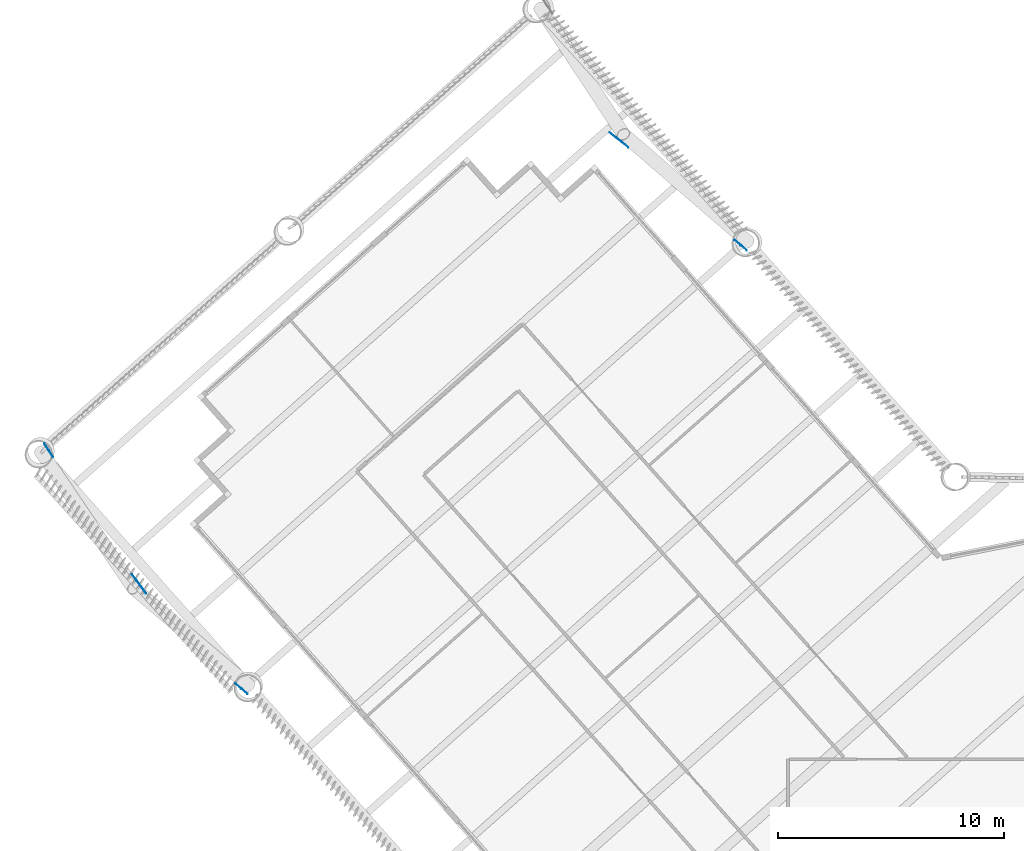
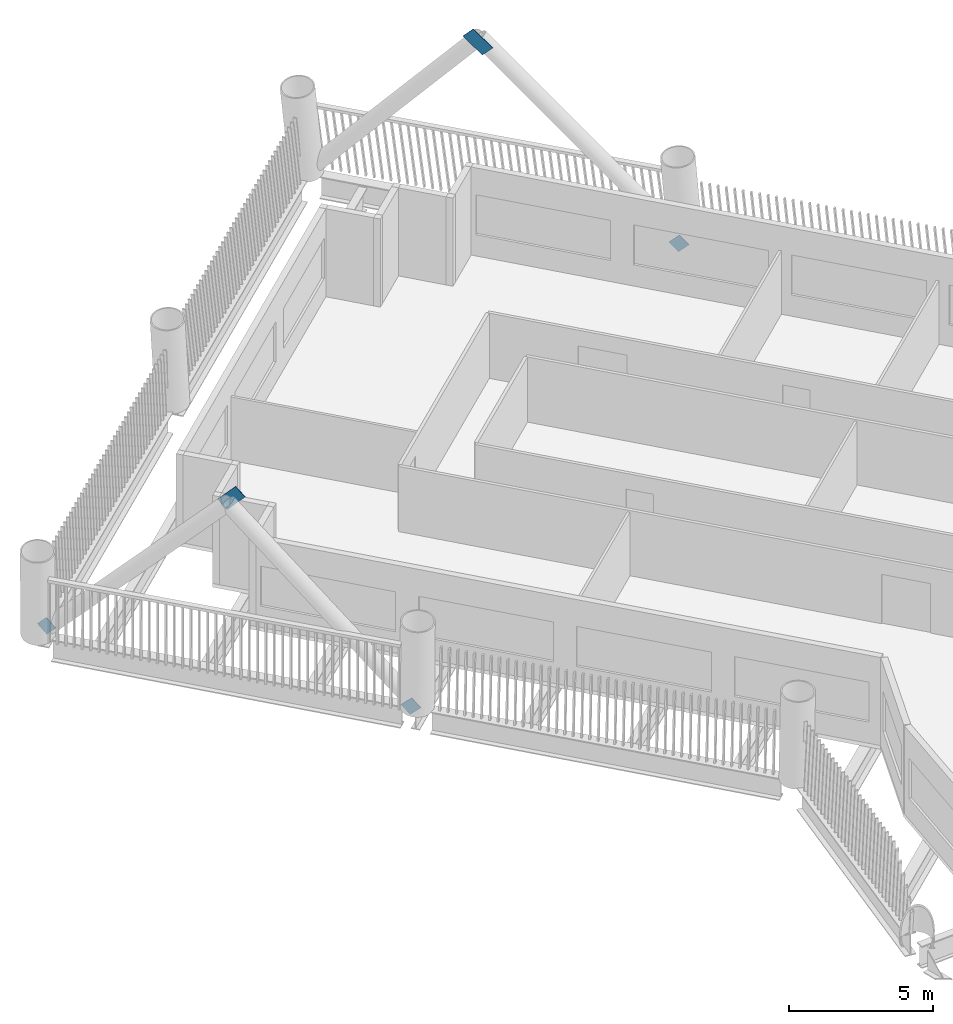
# One storey, part 11 of 22: 5 discrete accessories.
"""IFC4 building model written with IfcOpenShell, lengths in metres."""

from ifc_helpers import new_model, si_unit, direction, frame, origin, origin_2d, place, context, subcontext, project, spatial, rectangle, extrude, material, material_profile, profile_set, type_object, element, save


model = new_model("IFC4")

# Units and contexts
model_context = context("Model", 3, precision=1e-05, world=origin(), true_north=direction((0.0, 1.0)))
body_context = subcontext(model_context, "Body", "Model", "MODEL_VIEW")
ifc_project = project(units=[si_unit("LENGTHUNIT", "METRE"), si_unit("AREAUNIT", "SQUARE_METRE"), si_unit("VOLUMEUNIT", "CUBIC_METRE"), si_unit("PLANEANGLEUNIT", "RADIAN"), si_unit("MASSUNIT", "GRAM", prefix="KILO")], contexts=[model_context])

# Site, building, storey
site_placement = place(None, origin())
site = spatial("IfcSite", under=ifc_project, at=site_placement, CompositionType="ELEMENT")
building_placement = place(site_placement, origin())
building = spatial("IfcBuilding", under=site, at=building_placement, Name="Tarsis Ring Headquarters", CompositionType="ELEMENT")
storey_placement = place(building_placement, frame((0.0, 0.0, 55.60009765625)))
storey = spatial("IfcBuildingStorey", under=building, at=storey_placement, Name="L11", CompositionType="ELEMENT", Elevation=55.60009765625)

# Discrete accessories
ifc_material = material(Name="Structural steel S355", Category="steel")
ifc_material_profile = material_profile(ifc_material, rectangle(XDim=0.02490234375, YDim=0.5, at=origin_2d()), Name="PL 25x500")
ifc_profile_set = profile_set([ifc_material_profile], Name="Structural steel S355")
discrete_accessory_type = type_object("IfcDiscreteAccessoryType", Name="Gusset plate Exo brace 25", PredefinedType="BRACKET", material=ifc_profile_set)
discrete_accessory_1_placement = place(storey_placement, frame((-14.96533203125, 38.673583984375, 0.0), z_axis=(-0.517738558177, 0.447404263481, 0.729229874866), x_axis=(-0.653842852374, -0.756630375018, 0.0)))
element("IfcDiscreteAccessory", 1, at=discrete_accessory_1_placement, inside=storey, type_object=discrete_accessory_type, Name="Gusset plate GP5", PredefinedType="BRACKET", context=body_context, shape_type="SweptSolid", body=[
    extrude(rectangle(XDim=0.02490234375, YDim=0.5, at=origin_2d()), origin(), (0.0, 0.0, 1.0), 0.499755859375),
])
discrete_accessory_2_placement = place(storey_placement, frame((-20.221923828125, 43.23486328125, 7.435546875), z_axis=(-0.536109406259, 0.426495051336, 0.728483819798), x_axis=(-0.622563248409, -0.782569486838, 0.0)))
element("IfcDiscreteAccessory", 2, at=discrete_accessory_2_placement, inside=storey, type_object=discrete_accessory_type, Name="Gusset plate GP5", PredefinedType="BRACKET", context=body_context, shape_type="SweptSolid", body=[
    extrude(rectangle(XDim=0.02490234375, YDim=0.5, at=origin_2d()), origin(), (0.0, 0.0, 1.0), 1.0),
])
discrete_accessory_3_placement = place(storey_placement, frame((-45.85986328125, 29.83544921875, 0.0), z_axis=(0.383904544934, -0.567065110265, 0.728734835931), x_axis=(0.82807890817, 0.56061156057, 0.0)))
element("IfcDiscreteAccessory", 3, at=discrete_accessory_3_placement, inside=storey, type_object=discrete_accessory_type, Name="Gusset plate GP5", PredefinedType="BRACKET", context=body_context, shape_type="SweptSolid", body=[
    extrude(rectangle(XDim=0.02490234375, YDim=0.5, at=origin_2d()), origin(), (0.0, 0.0, 1.0), 0.499755859375),
])
discrete_accessory_4_placement = place(storey_placement, frame((-41.958740234375, 24.048583984375, 7.435302734375), z_axis=(0.406318241226, -0.550385406084, 0.729370544797), x_axis=(0.804517229278, 0.59392931212, 0.0)))
element("IfcDiscreteAccessory", 4, at=discrete_accessory_4_placement, inside=storey, type_object=discrete_accessory_type, Name="Gusset plate GP5", PredefinedType="BRACKET", context=body_context, shape_type="SweptSolid", body=[
    extrude(rectangle(XDim=0.02490234375, YDim=0.5, at=origin_2d()), origin(), (0.0, 0.0, 1.0), 0.999755859375),
])
discrete_accessory_5_placement = place(storey_placement, frame((-37.097412109375, 19.019287109375, 0.0), z_axis=(-0.497725526898, 0.42055120575, 0.758555194575), x_axis=(-0.645404438096, -0.763841024878, 0.0)))
element("IfcDiscreteAccessory", 5, at=discrete_accessory_5_placement, inside=storey, type_object=discrete_accessory_type, Name="Gusset plate GP5", PredefinedType="BRACKET", context=body_context, shape_type="SweptSolid", body=[
    extrude(rectangle(XDim=0.02490234375, YDim=0.5, at=origin_2d()), origin(), (0.0, 0.0, 1.0), 0.499755859375),
])

save(model, "model.ifc")
